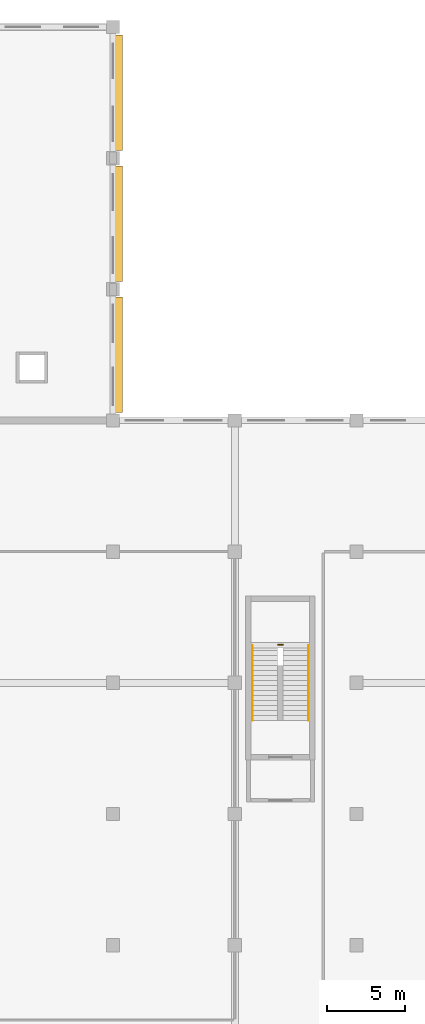
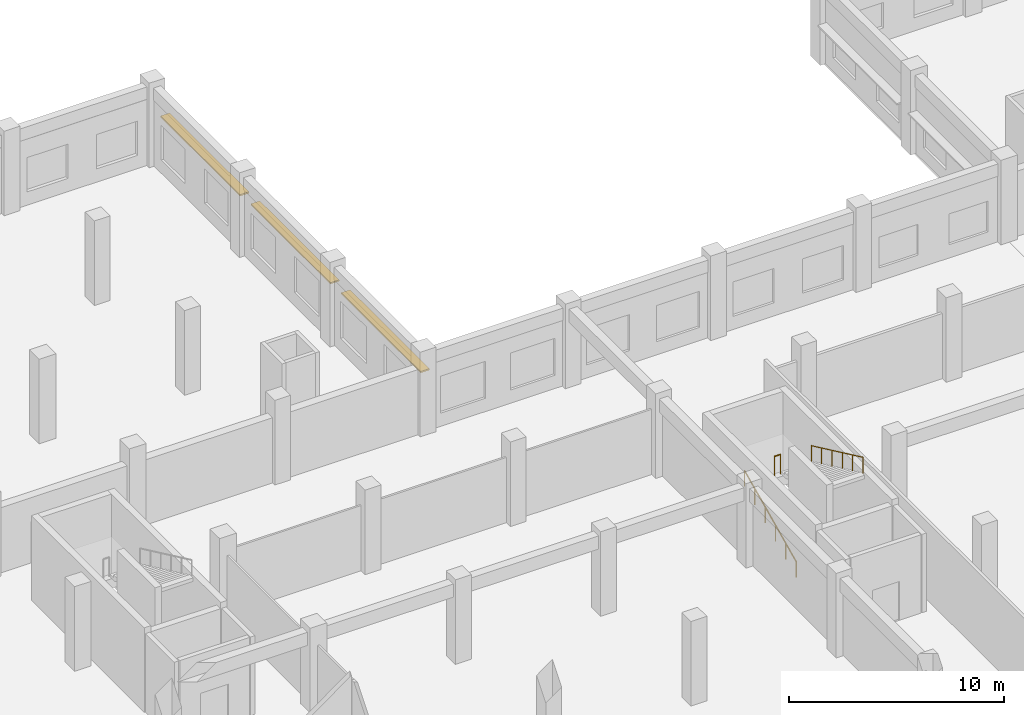
# One storey, part 75 of 79: 3 railings, 3 shading devices.
"""IFC4 building model written with IfcOpenShell, lengths in metres."""

from ifc_helpers import new_model, si_unit, direction, frame, origin, origin_2d, place, context, subcontext, project, spatial, rectangle, circle, extrude, material, layer, layer_set, type_object, element, save


model = new_model("IFC4")

# Units and contexts
model_context = context("Model", 3, precision=1e-05, world=origin(), true_north=direction((0.0, 1.0)))
body_context = subcontext(model_context, "Body", "Model", "MODEL_VIEW")
ifc_project = project(units=[si_unit("LENGTHUNIT", "METRE"), si_unit("AREAUNIT", "SQUARE_METRE"), si_unit("VOLUMEUNIT", "CUBIC_METRE"), si_unit("PLANEANGLEUNIT", "RADIAN"), si_unit("MASSUNIT", "GRAM", prefix="KILO"), si_unit("THERMODYNAMICTEMPERATUREUNIT", "KELVIN"), si_unit("POWERUNIT", "WATT")], contexts=[model_context])

# Site, building, storey
site_placement = place(None, origin())
site = spatial("IfcSite", under=ifc_project, at=site_placement, CompositionType="ELEMENT")
building_placement = place(site_placement, origin())
building = spatial("IfcBuilding", under=site, at=building_placement, Name="Srebrne Nadtorze General Hospital", CompositionType="ELEMENT")
storey_placement = place(building_placement, frame((0.0, 0.0, 4.800048828125)))
storey = spatial("IfcBuildingStorey", under=building, at=storey_placement, Name="L01", CompositionType="ELEMENT", Elevation=4.800048828125)

# Shading devices
ifc_material_1 = material(Name="Anodised Aluminium", Category="aluminium")
ifc_layer = layer(ifc_material_1, 0.080078125)
ifc_layer_set = layer_set([ifc_layer], Name="Anodised Aluminium")
shading_device_type = type_object("IfcShadingDeviceType", Name="Hisashi horizontal aluminium sunshade", PredefinedType="JALOUSIE", material=ifc_layer_set)
for number, where, z_axis, x_axis, name in (
    (1, (70.580078125, 96.60009765625, 2.869873046875), (0.0, 0.0, 1.0), (1.0, 0.0, 0.0), "Hisashi horizontal sunshade eave LV-107"),
    (2, (70.580078125, 105.0, 2.81982421875), (0.0, 0.0, 1.0), (1.0, 0.0, 0.0), "Hisashi horizontal sunshade eave LV-108"),
    (3, (70.580078125, 113.39990234375, 2.719970703125), (0.0, 0.0, 1.0), (1.0, 0.0, 0.0), "Hisashi horizontal sunshade eave LV-109"),
):
    element("IfcShadingDevice", number, at=place(storey_placement, frame(where, z_axis=z_axis, x_axis=x_axis)), inside=storey, type_object=shading_device_type, Name=name, PredefinedType="JALOUSIE", context=body_context, shape_type="SweptSolid", body=[
        extrude(rectangle(XDim=0.47998046875, YDim=7.389892578125, at=origin_2d()), origin(), (0.0, 0.0, 1.0), 0.080078125),
    ])

# Railings
ifc_material_2 = material(Name="Stainless Steel 316", Category="steel")
railing_type_1 = type_object("IfcRailingType", Name="Stairwell safety guard 1120", PredefinedType="BALUSTRADE", material=ifc_material_2)
railing_1_placement = place(storey_placement, frame((80.764892578125, 78.0400390625, 2.39990234375)))
element("IfcRailing", 4, at=railing_1_placement, inside=storey, type_object=railing_type_1, Name="Half landing well guard ST-07-L01", PredefinedType="BALUSTRADE", context=body_context, shape_type="SweptSolid", body=[
    extrude(circle(Radius=0.02392578125, at=origin_2d()), frame((0.0, 0.0, 1.09619140625), z_axis=(1.0, 0.0, 0.0), x_axis=(0.0, 1.0, 0.0)), (0.0, 0.0, 1.0), 0.320068359375),
    extrude(circle(Radius=0.02099609375, at=origin_2d()), origin(), (0.0, 0.0, 1.0), 1.072021484375),
    extrude(circle(Radius=0.02099609375, at=origin_2d()), frame((0.320068359375, 0.0, 0.0)), (0.0, 0.0, 1.0), 1.072021484375),
])
ifc_material_3 = material(Name="Stainless Steel 316", Category="steel")
railing_type_2 = type_object("IfcRailingType", Name="Tubular stainless handrail 920", PredefinedType="HANDRAIL", material=ifc_material_3)
railing_2_placement = place(storey_placement, frame((79.1298828125, 73.199951171875, 0.14990234375)))
element("IfcRailing", 5, at=railing_2_placement, inside=storey, type_object=railing_type_2, Name="Stair flight handrail ST-07-L01 F1", PredefinedType="HANDRAIL", context=body_context, shape_type="SweptSolid", body=[
    extrude(circle(Radius=0.02392578125, at=origin_2d()), frame((0.0, 0.0, 0.89599609375), z_axis=(0.0, 0.90546059521, 0.424430336476), x_axis=(-1.0, 0.0, 0.0)), (0.0, 0.0, 1.0), 5.30126953125),
    extrude(circle(Radius=0.02099609375, at=origin_2d()), origin(), (0.0, 0.0, 1.0), 0.871826171875),
    extrude(circle(Radius=0.02099609375, at=origin_2d()), frame((0.0, 0.9599609375, 0.449951171875)), (0.0, 0.0, 1.0), 0.871826171875),
    extrude(circle(Radius=0.02099609375, at=origin_2d()), frame((0.0, 1.919921875, 0.89990234375)), (0.0, 0.0, 1.0), 0.871826171875),
    extrude(circle(Radius=0.02099609375, at=origin_2d()), frame((0.0, 2.880126953125, 1.35009765625)), (0.0, 0.0, 1.0), 0.871826171875),
    extrude(circle(Radius=0.02099609375, at=origin_2d()), frame((0.0, 3.840087890625, 1.800048828125)), (0.0, 0.0, 1.0), 0.871826171875),
    extrude(circle(Radius=0.02099609375, at=origin_2d()), frame((0.0, 4.800048828125, 2.25)), (0.0, 0.0, 1.0), 0.871826171875),
])
railing_3_placement = place(storey_placement, frame((82.719970703125, 78.0, 2.550048828125)))
element("IfcRailing", 6, at=railing_3_placement, inside=storey, type_object=railing_type_2, Name="Stair flight handrail ST-07-L01 F2", PredefinedType="HANDRAIL", context=body_context, shape_type="SweptSolid", body=[
    extrude(circle(Radius=0.02392578125, at=origin_2d()), frame((0.0, 0.0, 0.89599609375), z_axis=(0.0, -0.90546059521, 0.424430336476), x_axis=(1.0, 0.0, 0.0)), (0.0, 0.0, 1.0), 5.30126953125),
    extrude(circle(Radius=0.02099609375, at=origin_2d()), origin(), (0.0, 0.0, 1.0), 0.871826171875),
    extrude(circle(Radius=0.02099609375, at=origin_2d()), frame((0.0, -0.9599609375, 0.449951171875)), (0.0, 0.0, 1.0), 0.871826171875),
    extrude(circle(Radius=0.02099609375, at=origin_2d()), frame((0.0, -1.919921875, 0.89990234375)), (0.0, 0.0, 1.0), 0.871826171875),
    extrude(circle(Radius=0.02099609375, at=origin_2d()), frame((0.0, -2.880126953125, 1.35009765625)), (0.0, 0.0, 1.0), 0.871826171875),
    extrude(circle(Radius=0.02099609375, at=origin_2d()), frame((0.0, -3.840087890625, 1.800048828125)), (0.0, 0.0, 1.0), 0.871826171875),
    extrude(circle(Radius=0.02099609375, at=origin_2d()), frame((0.0, -4.800048828125, 2.25)), (0.0, 0.0, 1.0), 0.871826171875),
])

save(model, "model.ifc")
